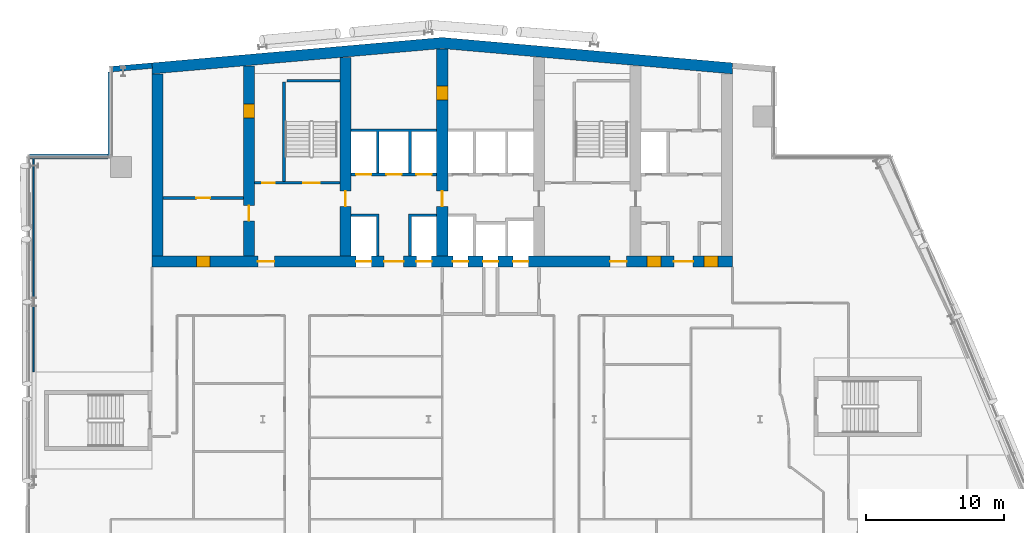
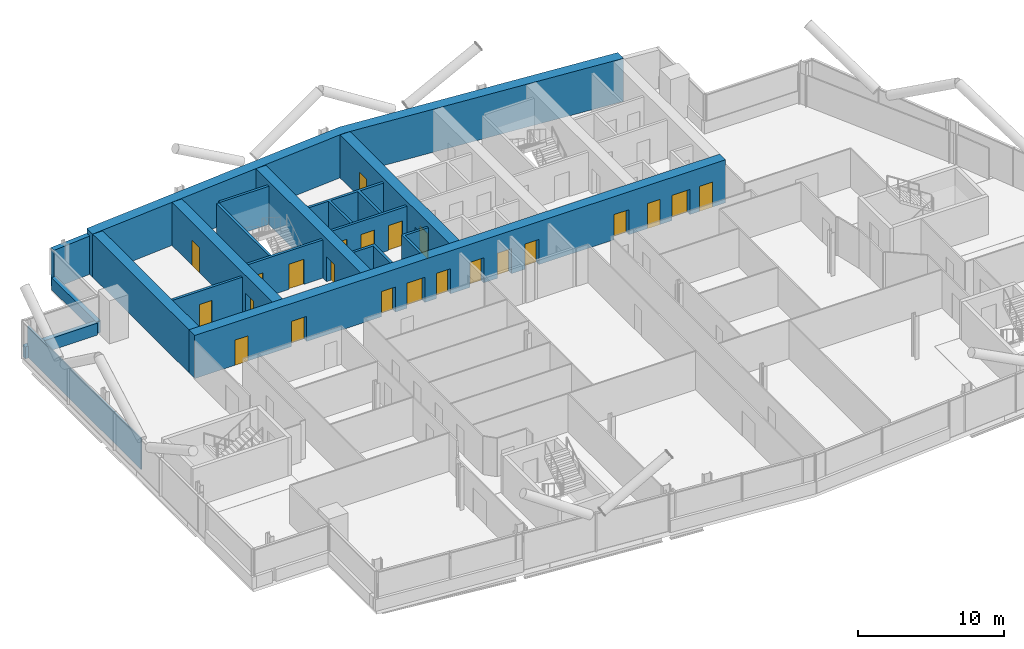
# One storey, part 17 of 26: 23 doors, 18 walls, 23 openings.
"""IFC4 building model written with IfcOpenShell, lengths in metres."""

from ifc_helpers import new_model, si_unit, direction, frame, frame_2d, origin, place, context, subcontext, project, spatial, polyline, rectangle, outline, extrude, material, layer, layer_set, type_object, element, fill, save


model = new_model("IFC4")

# Units and contexts
model_context = context("Model", 3, precision=1e-05, world=origin(), true_north=direction((0.0, 1.0)))
body_context = subcontext(model_context, "Body", "Model", "MODEL_VIEW")
ifc_project = project(units=[si_unit("LENGTHUNIT", "METRE"), si_unit("AREAUNIT", "SQUARE_METRE"), si_unit("VOLUMEUNIT", "CUBIC_METRE"), si_unit("PLANEANGLEUNIT", "RADIAN"), si_unit("MASSUNIT", "GRAM", prefix="KILO")], contexts=[model_context])

# Site, building, storey
site_placement = place(None, origin())
site = spatial("IfcSite", under=ifc_project, at=site_placement, CompositionType="ELEMENT")
building_placement = place(site_placement, origin())
building = spatial("IfcBuilding", under=site, at=building_placement, Name="Wharfspan Tower", CompositionType="ELEMENT")
storey_placement = place(building_placement, frame((0.0, 0.0, 173.5)))
storey = spatial("IfcBuildingStorey", under=building, at=storey_placement, Name="L42", CompositionType="ELEMENT", Elevation=173.5)

# Wall, opening, door
ifc_material_1 = material(Name="Calcium silicate masonry", Category="masonry")
ifc_layer_1 = layer(ifc_material_1, 0.199951)
ifc_layer_set_1 = layer_set([ifc_layer_1], Name="Calcium silicate masonry")
wall_type_1 = type_object("IfcWallType", Name="Core room wall 200", PredefinedType="PARTITIONING", material=ifc_layer_set_1)
wall_1_placement = place(storey_placement, frame((16.800049, 39.0, 0.0), z_axis=(0.0, 0.0, 1.0), x_axis=(1.0, 0.0, 0.0)))
wall_1 = element("IfcWall", 1, at=wall_1_placement, inside=storey, type_object=wall_type_1, Name="sw:L42:RM1", PredefinedType="PARTITIONING", context=body_context, shape_type="SweptSolid", body=[
    extrude(rectangle(XDim=5.800049, YDim=0.199951, at=frame_2d((2.899902, 0.0))), origin(), (0.0, 0.0, 1.0), 3.199951),
])
opening_1_placement = place(wall_1_placement, frame((2.399902, 0.0, 0.0)))
opening_1 = element("IfcOpeningElement", 2, at=opening_1_placement, cuts=wall_1, Name="Opening CD42.12", PredefinedType="OPENING", context=body_context, shape_type="SweptSolid", body=[
    extrude(rectangle(XDim=1.0, YDim=2.100098, at=frame_2d((0.5, 1.050049))), frame((0.0, 0.109863, 0.0), z_axis=(0.0, -1.0, 0.0), x_axis=(1.0, 0.0, 0.0)), (0.0, 0.0, 1.0), 0.219971),
])
ifc_material_2 = material(Name="Steel door leaf", Category="steel")
door_type_1 = type_object("IfcDoorType", Name="Core room door 1000x2100", OperationType="SINGLE_SWING_LEFT", PredefinedType="DOOR", material=ifc_material_2)
door_1_placement = place(opening_1_placement, origin())
door_1 = element("IfcDoor", 3, at=door_1_placement, inside=storey, type_object=door_type_1, Name="d:L42:1:rr", OperationType="SINGLE_SWING_RIGHT", OverallHeight=2.100098, OverallWidth=1.0, PredefinedType="DOOR", context=body_context, shape_type="SweptSolid", body=[
    extrude(rectangle(XDim=1.0, YDim=2.100098, at=frame_2d((0.5, 1.050049))), frame((0.0, 0.024902, 0.0), z_axis=(0.0, -1.0, 0.0), x_axis=(1.0, 0.0, 0.0)), (0.0, 0.0, 1.0), 0.050049),
])
fill(opening_1, door_1)

# Wall
ifc_material_3 = material(Name="Concrete C60/75", Category="concrete")
ifc_layer_2 = layer(ifc_material_3, 0.800049)
ifc_layer_set_2 = layer_set([ifc_layer_2], Name="Concrete C60/75")
wall_type_2 = type_object("IfcWallType", Name="Core wall 800 C60/75", PredefinedType="SHEAR", material=ifc_layer_set_2)
wall_2_placement = place(storey_placement, origin())
element("IfcWall", 4, at=wall_2_placement, inside=storey, type_object=wall_type_2, Name="Core rear wall L42", PredefinedType="SHEAR", context=body_context, shape_type="SweptSolid", body=[
    extrude(outline(polyline([(16.0, 47.984375), (37.0, 49.821533), (58.0, 47.984375), (58.0, 48.787354), (37.0, 50.624756), (16.0, 48.787354), (16.0, 47.984375)])), origin(), (0.0, 0.0, 1.0), 3.600098),
])

# Wall, openings, doors
wall_3_placement = place(storey_placement, frame((16.0, 34.399902, 0.0), z_axis=(0.0, 0.0, 1.0), x_axis=(1.0, 0.0, 0.0)))
wall_3 = element("IfcWall", 5, at=wall_3_placement, inside=storey, type_object=wall_type_2, Name="Core front wall L42", PredefinedType="SHEAR", context=body_context, shape_type="SweptSolid", body=[
    extrude(rectangle(XDim=42.0, YDim=0.800049, at=frame_2d((21.0, 0.0))), origin(), (0.0, 0.0, 1.0), 3.600098),
])
opening_2_placement = place(wall_3_placement, frame((3.199951, 0.0, 0.0)))
opening_2 = element("IfcOpeningElement", 6, at=opening_2_placement, cuts=wall_3, Name="Opening CD42.11", PredefinedType="OPENING", context=body_context, shape_type="SweptSolid", body=[
    extrude(rectangle(XDim=1.0, YDim=2.100098, at=frame_2d((0.5, 1.050049))), frame((0.0, 0.409912, 0.0), z_axis=(0.0, -1.0, 0.0), x_axis=(1.0, 0.0, 0.0)), (0.0, 0.0, 1.0), 0.820068),
])
opening_3_placement = place(wall_3_placement, frame((7.649902, 0.0, 0.0)))
opening_3 = element("IfcOpeningElement", 7, at=opening_3_placement, cuts=wall_3, Name="Opening SV2.L42", PredefinedType="OPENING", context=body_context, shape_type="SweptSolid", body=[
    extrude(rectangle(XDim=1.199951, YDim=2.100098, at=frame_2d((0.600098, 1.050049))), frame((0.0, 0.409912, 0.0), z_axis=(0.0, -1.0, 0.0), x_axis=(1.0, 0.0, 0.0)), (0.0, 0.0, 1.0), 0.820068),
])
opening_4_placement = place(wall_3_placement, frame((14.766602, 0.0, 0.0)))
opening_4 = element("IfcOpeningElement", 8, at=opening_4_placement, cuts=wall_3, Name="Opening LD.SL1.L42", PredefinedType="OPENING", context=body_context, shape_type="SweptSolid", body=[
    extrude(rectangle(XDim=1.100098, YDim=2.100098, at=frame_2d((0.550049, 1.050049))), frame((0.0, 0.409912, 0.0), z_axis=(0.0, -1.0, 0.0), x_axis=(1.0, 0.0, 0.0)), (0.0, 0.0, 1.0), 0.820068),
])
opening_5_placement = place(wall_3_placement, frame((19.133301, 0.0, 0.0)))
opening_5 = element("IfcOpeningElement", 9, at=opening_5_placement, cuts=wall_3, Name="Opening LD.SL2.L42", PredefinedType="OPENING", context=body_context, shape_type="SweptSolid", body=[
    extrude(rectangle(XDim=1.100098, YDim=2.100098, at=frame_2d((0.550049, 1.050049))), frame((0.0, 0.409912, 0.0), z_axis=(0.0, -1.0, 0.0), x_axis=(1.0, 0.0, 0.0)), (0.0, 0.0, 1.0), 0.820068),
])
opening_6_placement = place(wall_3_placement, frame((16.800049, 0.0, 0.0)))
opening_6 = element("IfcOpeningElement", 10, at=opening_6_placement, cuts=wall_3, Name="Opening HD42.3", PredefinedType="OPENING", context=body_context, shape_type="SweptSolid", body=[
    extrude(rectangle(XDim=1.399902, YDim=2.100098, at=frame_2d((0.699951, 1.050049))), frame((0.0, 0.409912, 0.0), z_axis=(0.0, -1.0, 0.0), x_axis=(1.0, 0.0, 0.0)), (0.0, 0.0, 1.0), 0.820068),
])
opening_7_placement = place(wall_3_placement, frame((21.766602, 0.0, 0.0)))
opening_7 = element("IfcOpeningElement", 11, at=opening_7_placement, cuts=wall_3, Name="Opening LD.FF1.L42", PredefinedType="OPENING", context=body_context, shape_type="SweptSolid", body=[
    extrude(rectangle(XDim=1.100098, YDim=2.100098, at=frame_2d((0.550049, 1.050049))), frame((0.0, 0.409912, 0.0), z_axis=(0.0, -1.0, 0.0), x_axis=(1.0, 0.0, 0.0)), (0.0, 0.0, 1.0), 0.820068),
])
opening_8_placement = place(wall_3_placement, frame((23.949951, 0.0, 0.0)))
opening_8 = element("IfcOpeningElement", 12, at=opening_8_placement, cuts=wall_3, Name="Opening LD.LB7.L42", PredefinedType="OPENING", context=body_context, shape_type="SweptSolid", body=[
    extrude(rectangle(XDim=1.100098, YDim=2.100098, at=frame_2d((0.550049, 1.050049))), frame((0.0, 0.409912, 0.0), z_axis=(0.0, -1.0, 0.0), x_axis=(1.0, 0.0, 0.0)), (0.0, 0.0, 1.0), 0.820068),
])
opening_9_placement = place(wall_3_placement, frame((26.133301, 0.0, 0.0)))
opening_9 = element("IfcOpeningElement", 13, at=opening_9_placement, cuts=wall_3, Name="Opening LD.FF2.L42", PredefinedType="OPENING", context=body_context, shape_type="SweptSolid", body=[
    extrude(rectangle(XDim=1.100098, YDim=2.100098, at=frame_2d((0.550049, 1.050049))), frame((0.0, 0.409912, 0.0), z_axis=(0.0, -1.0, 0.0), x_axis=(1.0, 0.0, 0.0)), (0.0, 0.0, 1.0), 0.820068),
])
opening_10_placement = place(wall_3_placement, frame((33.149902, 0.0, 0.0)))
opening_10 = element("IfcOpeningElement", 14, at=opening_10_placement, cuts=wall_3, Name="Opening SV5.L42", PredefinedType="OPENING", context=body_context, shape_type="SweptSolid", body=[
    extrude(rectangle(XDim=1.199951, YDim=2.100098, at=frame_2d((0.600098, 1.050049))), frame((0.0, 0.409912, 0.0), z_axis=(0.0, -1.0, 0.0), x_axis=(1.0, 0.0, 0.0)), (0.0, 0.0, 1.0), 0.820068),
])
opening_11_placement = place(wall_3_placement, frame((35.81665, 0.0, 0.0)))
opening_11 = element("IfcOpeningElement", 15, at=opening_11_placement, cuts=wall_3, Name="Opening CD42.6F1", PredefinedType="OPENING", context=body_context, shape_type="SweptSolid", body=[
    extrude(rectangle(XDim=1.0, YDim=2.100098, at=frame_2d((0.5, 1.050049))), frame((0.0, 0.409912, 0.0), z_axis=(0.0, -1.0, 0.0), x_axis=(1.0, 0.0, 0.0)), (0.0, 0.0, 1.0), 0.820068),
])
opening_12_placement = place(wall_3_placement, frame((39.949951, 0.0, 0.0)))
opening_12 = element("IfcOpeningElement", 16, at=opening_12_placement, cuts=wall_3, Name="Opening CD42.6F3", PredefinedType="OPENING", context=body_context, shape_type="SweptSolid", body=[
    extrude(rectangle(XDim=1.0, YDim=2.100098, at=frame_2d((0.5, 1.050049))), frame((0.0, 0.409912, 0.0), z_axis=(0.0, -1.0, 0.0), x_axis=(1.0, 0.0, 0.0)), (0.0, 0.0, 1.0), 0.820068),
])
opening_13_placement = place(wall_3_placement, frame((37.766602, 0.0, 0.0)))
opening_13 = element("IfcOpeningElement", 17, at=opening_13_placement, cuts=wall_3, Name="Opening HD42.6", PredefinedType="OPENING", context=body_context, shape_type="SweptSolid", body=[
    extrude(rectangle(XDim=1.399902, YDim=2.100098, at=frame_2d((0.699951, 1.050049))), frame((0.0, 0.409912, 0.0), z_axis=(0.0, -1.0, 0.0), x_axis=(1.0, 0.0, 0.0)), (0.0, 0.0, 1.0), 0.820068),
])
door_2_placement = place(opening_2_placement, origin())
door_2 = element("IfcDoor", 18, at=door_2_placement, inside=storey, type_object=door_type_1, Name="d:L42:1:rf", OperationType="SINGLE_SWING_LEFT", OverallHeight=2.100098, OverallWidth=1.0, PredefinedType="DOOR", context=body_context, shape_type="SweptSolid", body=[
    extrude(rectangle(XDim=1.0, YDim=2.100098, at=frame_2d((0.5, 1.050049))), frame((0.0, 0.399902, 0.0), z_axis=(0.0, -1.0, 0.0), x_axis=(1.0, 0.0, 0.0)), (0.0, 0.0, 1.0), 0.799561),
])
fill(opening_2, door_2)
door_3_placement = place(opening_11_placement, origin())
door_3 = element("IfcDoor", 19, at=door_3_placement, inside=storey, type_object=door_type_1, Name="d:L42:6:fd6.1", OperationType="SINGLE_SWING_LEFT", OverallHeight=2.100098, OverallWidth=1.0, PredefinedType="DOOR", context=body_context, shape_type="SweptSolid", body=[
    extrude(rectangle(XDim=1.0, YDim=2.100098, at=frame_2d((0.5, 1.050049))), frame((0.0, 0.399902, 0.0), z_axis=(0.0, -1.0, 0.0), x_axis=(1.0, 0.0, 0.0)), (0.0, 0.0, 1.0), 0.799561),
])
fill(opening_11, door_3)
door_4_placement = place(opening_12_placement, origin())
door_4 = element("IfcDoor", 20, at=door_4_placement, inside=storey, type_object=door_type_1, Name="d:L42:6:fd6.3", OperationType="SINGLE_SWING_LEFT", OverallHeight=2.100098, OverallWidth=1.0, PredefinedType="DOOR", context=body_context, shape_type="SweptSolid", body=[
    extrude(rectangle(XDim=1.0, YDim=2.100098, at=frame_2d((0.5, 1.050049))), frame((0.0, 0.399902, 0.0), z_axis=(0.0, -1.0, 0.0), x_axis=(1.0, 0.0, 0.0)), (0.0, 0.0, 1.0), 0.799561),
])
fill(opening_12, door_4)
door_type_2 = type_object("IfcDoorType", Name="Hall entry door 1400x2100", OperationType="DOUBLE_DOOR_SINGLE_SWING", PredefinedType="DOOR", material=ifc_material_2)
door_5_placement = place(opening_6_placement, origin())
door_5 = element("IfcDoor", 21, at=door_5_placement, inside=storey, type_object=door_type_2, Name="d:L42:3:hd3", OperationType="DOUBLE_DOOR_SINGLE_SWING", OverallHeight=2.100098, OverallWidth=1.399902, PredefinedType="DOOR", context=body_context, shape_type="SweptSolid", body=[
    extrude(rectangle(XDim=1.399902, YDim=2.100098, at=frame_2d((0.699951, 1.050049))), frame((0.0, 0.024902, 0.0), z_axis=(0.0, -1.0, 0.0), x_axis=(1.0, 0.0, 0.0)), (0.0, 0.0, 1.0), 0.050049),
])
fill(opening_6, door_5)
door_6_placement = place(opening_13_placement, origin())
door_6 = element("IfcDoor", 22, at=door_6_placement, inside=storey, type_object=door_type_2, Name="d:L42:6:hd6", OperationType="DOUBLE_DOOR_SINGLE_SWING", OverallHeight=2.100098, OverallWidth=1.399902, PredefinedType="DOOR", context=body_context, shape_type="SweptSolid", body=[
    extrude(rectangle(XDim=1.399902, YDim=2.100098, at=frame_2d((0.699951, 1.050049))), frame((0.0, 0.024902, 0.0), z_axis=(0.0, -1.0, 0.0), x_axis=(1.0, 0.0, 0.0)), (0.0, 0.0, 1.0), 0.050049),
])
fill(opening_13, door_6)
ifc_material_4 = material(Name="Stainless steel", Category="steel")
door_type_3 = type_object("IfcDoorType", Name="Lift landing door 1100x2100", OperationType="DOUBLE_DOOR_SLIDING", PredefinedType="DOOR", material=ifc_material_4)
door_7_placement = place(opening_4_placement, origin())
door_7 = element("IfcDoor", 23, at=door_7_placement, inside=storey, type_object=door_type_3, Name="Landing door SL1 L42", OperationType="DOUBLE_DOOR_SLIDING", OverallHeight=2.100098, OverallWidth=1.100098, PredefinedType="DOOR", context=body_context, shape_type="SweptSolid", body=[
    extrude(rectangle(XDim=1.100098, YDim=2.100098, at=frame_2d((0.550049, 1.050049))), frame((0.0, 0.024902, 0.0), z_axis=(0.0, -1.0, 0.0), x_axis=(1.0, 0.0, 0.0)), (0.0, 0.0, 1.0), 0.050049),
])
fill(opening_4, door_7)
door_8_placement = place(opening_5_placement, origin())
door_8 = element("IfcDoor", 24, at=door_8_placement, inside=storey, type_object=door_type_3, Name="Landing door SL2 L42", OperationType="DOUBLE_DOOR_SLIDING", OverallHeight=2.100098, OverallWidth=1.100098, PredefinedType="DOOR", context=body_context, shape_type="SweptSolid", body=[
    extrude(rectangle(XDim=1.100098, YDim=2.100098, at=frame_2d((0.550049, 1.050049))), frame((0.0, 0.024902, 0.0), z_axis=(0.0, -1.0, 0.0), x_axis=(1.0, 0.0, 0.0)), (0.0, 0.0, 1.0), 0.050049),
])
fill(opening_5, door_8)
door_9_placement = place(opening_7_placement, origin())
door_9 = element("IfcDoor", 25, at=door_9_placement, inside=storey, type_object=door_type_3, Name="Landing door FF1 L42", OperationType="DOUBLE_DOOR_SLIDING", OverallHeight=2.100098, OverallWidth=1.100098, PredefinedType="DOOR", context=body_context, shape_type="SweptSolid", body=[
    extrude(rectangle(XDim=1.100098, YDim=2.100098, at=frame_2d((0.550049, 1.050049))), frame((0.0, 0.024902, 0.0), z_axis=(0.0, -1.0, 0.0), x_axis=(1.0, 0.0, 0.0)), (0.0, 0.0, 1.0), 0.050049),
])
fill(opening_7, door_9)
door_10_placement = place(opening_8_placement, origin())
door_10 = element("IfcDoor", 26, at=door_10_placement, inside=storey, type_object=door_type_3, Name="Landing door LB7 L42", OperationType="DOUBLE_DOOR_SLIDING", OverallHeight=2.100098, OverallWidth=1.100098, PredefinedType="DOOR", context=body_context, shape_type="SweptSolid", body=[
    extrude(rectangle(XDim=1.100098, YDim=2.100098, at=frame_2d((0.550049, 1.050049))), frame((0.0, 0.024902, 0.0), z_axis=(0.0, -1.0, 0.0), x_axis=(1.0, 0.0, 0.0)), (0.0, 0.0, 1.0), 0.050049),
])
fill(opening_8, door_10)
door_11_placement = place(opening_9_placement, origin())
door_11 = element("IfcDoor", 27, at=door_11_placement, inside=storey, type_object=door_type_3, Name="Landing door FF2 L42", OperationType="DOUBLE_DOOR_SLIDING", OverallHeight=2.100098, OverallWidth=1.100098, PredefinedType="DOOR", context=body_context, shape_type="SweptSolid", body=[
    extrude(rectangle(XDim=1.100098, YDim=2.100098, at=frame_2d((0.550049, 1.050049))), frame((0.0, 0.024902, 0.0), z_axis=(0.0, -1.0, 0.0), x_axis=(1.0, 0.0, 0.0)), (0.0, 0.0, 1.0), 0.050049),
])
fill(opening_9, door_11)
door_type_4 = type_object("IfcDoorType", Name="Stair door 1200x2100", OperationType="SINGLE_SWING_LEFT", PredefinedType="DOOR", material=ifc_material_2)
door_12_placement = place(opening_3_placement, origin())
door_12 = element("IfcDoor", 28, at=door_12_placement, inside=storey, type_object=door_type_4, Name="vd:L42:2", OperationType="SINGLE_SWING_LEFT", OverallHeight=2.100098, OverallWidth=1.199951, PredefinedType="DOOR", context=body_context, shape_type="SweptSolid", body=[
    extrude(rectangle(XDim=1.199951, YDim=2.100098, at=frame_2d((0.600098, 1.050049))), frame((0.0, 0.024902, 0.0), z_axis=(0.0, -1.0, 0.0), x_axis=(1.0, 0.0, 0.0)), (0.0, 0.0, 1.0), 0.050049),
])
fill(opening_3, door_12)
door_13_placement = place(opening_10_placement, origin())
door_13 = element("IfcDoor", 29, at=door_13_placement, inside=storey, type_object=door_type_4, Name="vd:L42:5", OperationType="SINGLE_SWING_LEFT", OverallHeight=2.100098, OverallWidth=1.199951, PredefinedType="DOOR", context=body_context, shape_type="SweptSolid", body=[
    extrude(rectangle(XDim=1.199951, YDim=2.100098, at=frame_2d((0.600098, 1.050049))), frame((0.0, 0.024902, 0.0), z_axis=(0.0, -1.0, 0.0), x_axis=(1.0, 0.0, 0.0)), (0.0, 0.0, 1.0), 0.050049),
])
fill(opening_10, door_13)

# Wall
wall_4_placement = place(storey_placement, frame((16.399902, 34.800049, 0.0), z_axis=(0.0, 0.0, 1.0), x_axis=(0.0, 1.0, 0.0)))
element("IfcWall", 30, at=wall_4_placement, inside=storey, type_object=wall_type_2, Name="Core cross wall EW0 L42", PredefinedType="SHEAR", context=body_context, shape_type="SweptSolid", body=[
    extrude(rectangle(XDim=13.184326, YDim=0.800049, at=frame_2d((6.592285, 0.0))), origin(), (0.0, 0.0, 1.0), 3.600098),
])

# Wall, openings, doors
wall_5_placement = place(storey_placement, frame((23.0, 34.800049, 0.0), z_axis=(0.0, 0.0, 1.0), x_axis=(0.0, 1.0, 0.0)))
wall_5 = element("IfcWall", 31, at=wall_5_placement, inside=storey, type_object=wall_type_2, Name="Core cross wall X2 L42", PredefinedType="SHEAR", context=body_context, shape_type="SweptSolid", body=[
    extrude(rectangle(XDim=13.761719, YDim=0.800049, at=frame_2d((6.880859, 0.0))), origin(), (0.0, 0.0, 1.0), 3.600098),
])
opening_14_placement = place(wall_5_placement, frame((2.550049, 0.0, 0.0)))
opening_14 = element("IfcOpeningElement", 32, at=opening_14_placement, cuts=wall_5, Name="Opening CC42.2", PredefinedType="OPENING", context=body_context, shape_type="SweptSolid", body=[
    extrude(rectangle(XDim=1.100098, YDim=2.100098, at=frame_2d((0.550049, 1.050049))), frame((0.0, 0.409912, 0.0), z_axis=(0.0, -1.0, 0.0), x_axis=(1.0, 0.0, 0.0)), (0.0, 0.0, 1.0), 0.820068),
])
opening_15_placement = place(wall_5_placement, frame((10.0, 0.0, 0.0)))
opening_15 = element("IfcOpeningElement", 33, at=opening_15_placement, cuts=wall_5, Name="Opening CR42.2", PredefinedType="OPENING", context=body_context, shape_type="SweptSolid", body=[
    extrude(rectangle(XDim=1.0, YDim=2.100098, at=frame_2d((0.5, 1.050049))), frame((0.0, 0.409912, 0.0), z_axis=(0.0, -1.0, 0.0), x_axis=(1.0, 0.0, 0.0)), (0.0, 0.0, 1.0), 0.820068),
])
door_type_5 = type_object("IfcDoorType", Name="Core corridor door 1100x2100", OperationType="SINGLE_SWING_LEFT", PredefinedType="DOOR", material=ifc_material_2)
door_14_placement = place(opening_14_placement, origin())
door_14 = element("IfcDoor", 34, at=door_14_placement, inside=storey, type_object=door_type_5, Name="xd:L42:2", OperationType="SINGLE_SWING_RIGHT", OverallHeight=2.100098, OverallWidth=1.100098, PredefinedType="DOOR", context=body_context, shape_type="SweptSolid", body=[
    extrude(rectangle(XDim=1.100098, YDim=2.100098, at=frame_2d((0.550049, 1.050049))), frame((0.0, 0.024902, 0.0), z_axis=(0.0, -1.0, 0.0), x_axis=(1.0, 0.0, 0.0)), (0.0, 0.0, 1.0), 0.050049),
])
fill(opening_14, door_14)
door_15_placement = place(opening_15_placement, origin())
door_15 = element("IfcDoor", 35, at=door_15_placement, inside=storey, type_object=door_type_1, Name="xr:L42:2", OperationType="SINGLE_SWING_RIGHT", OverallHeight=2.100098, OverallWidth=1.0, PredefinedType="DOOR", context=body_context, shape_type="SweptSolid", body=[
    extrude(rectangle(XDim=1.0, YDim=2.100098, at=frame_2d((0.5, 1.050049))), frame((0.0, 0.399902, 0.0), z_axis=(0.0, -1.0, 0.0), x_axis=(1.0, 0.0, 0.0)), (0.0, 0.0, 1.0), 0.799561),
])
fill(opening_15, door_15)

# Wall, opening, door
wall_6_placement = place(storey_placement, frame((30.0, 34.800049, 0.0), z_axis=(0.0, 0.0, 1.0), x_axis=(0.0, 1.0, 0.0)))
wall_6 = element("IfcWall", 36, at=wall_6_placement, inside=storey, type_object=wall_type_2, Name="Core cross wall X3 L42", PredefinedType="SHEAR", context=body_context, shape_type="SweptSolid", body=[
    extrude(rectangle(XDim=14.374023, YDim=0.800049, at=frame_2d((7.187012, 0.0))), origin(), (0.0, 0.0, 1.0), 3.600098),
])
opening_16_placement = place(wall_6_placement, frame((3.600098, 0.0, 0.0)))
opening_16 = element("IfcOpeningElement", 37, at=opening_16_placement, cuts=wall_6, Name="Opening CC42.3", PredefinedType="OPENING", context=body_context, shape_type="SweptSolid", body=[
    extrude(rectangle(XDim=1.100098, YDim=2.100098, at=frame_2d((0.550049, 1.050049))), frame((0.0, 0.409912, 0.0), z_axis=(0.0, -1.0, 0.0), x_axis=(1.0, 0.0, 0.0)), (0.0, 0.0, 1.0), 0.820068),
])
door_16_placement = place(opening_16_placement, origin())
door_16 = element("IfcDoor", 38, at=door_16_placement, inside=storey, type_object=door_type_5, Name="xd:L42:3", OperationType="SINGLE_SWING_LEFT", OverallHeight=2.100098, OverallWidth=1.100098, PredefinedType="DOOR", context=body_context, shape_type="SweptSolid", body=[
    extrude(rectangle(XDim=1.100098, YDim=2.100098, at=frame_2d((0.550049, 1.050049))), frame((0.0, 0.024902, 0.0), z_axis=(0.0, -1.0, 0.0), x_axis=(1.0, 0.0, 0.0)), (0.0, 0.0, 1.0), 0.050049),
])
fill(opening_16, door_16)

# Wall, openings, doors
wall_7_placement = place(storey_placement, frame((37.0, 34.800049, 0.0), z_axis=(0.0, 0.0, 1.0), x_axis=(0.0, 1.0, 0.0)))
wall_7 = element("IfcWall", 39, at=wall_7_placement, inside=storey, type_object=wall_type_2, Name="Core cross wall X4 L42", PredefinedType="SHEAR", context=body_context, shape_type="SweptSolid", body=[
    extrude(rectangle(XDim=14.986572, YDim=0.800049, at=frame_2d((7.493164, 0.0))), origin(), (0.0, 0.0, 1.0), 3.600098),
])
opening_17_placement = place(wall_7_placement, frame((11.312012, 0.0, 0.0)))
opening_17 = element("IfcOpeningElement", 40, at=opening_17_placement, cuts=wall_7, Name="Opening CD42.3X", PredefinedType="OPENING", context=body_context, shape_type="SweptSolid", body=[
    extrude(rectangle(XDim=1.0, YDim=2.100098, at=frame_2d((0.5, 1.050049))), frame((0.0, 0.409912, 0.0), z_axis=(0.0, -1.0, 0.0), x_axis=(1.0, 0.0, 0.0)), (0.0, 0.0, 1.0), 0.820068),
])
opening_18_placement = place(wall_7_placement, frame((3.600098, 0.0, 0.0)))
opening_18 = element("IfcOpeningElement", 41, at=opening_18_placement, cuts=wall_7, Name="Opening CC42.4", PredefinedType="OPENING", context=body_context, shape_type="SweptSolid", body=[
    extrude(rectangle(XDim=1.100098, YDim=2.100098, at=frame_2d((0.550049, 1.050049))), frame((0.0, 0.409912, 0.0), z_axis=(0.0, -1.0, 0.0), x_axis=(1.0, 0.0, 0.0)), (0.0, 0.0, 1.0), 0.820068),
])
door_17_placement = place(opening_18_placement, origin())
door_17 = element("IfcDoor", 42, at=door_17_placement, inside=storey, type_object=door_type_5, Name="xd:L42:4", OperationType="SINGLE_SWING_RIGHT", OverallHeight=2.100098, OverallWidth=1.100098, PredefinedType="DOOR", context=body_context, shape_type="SweptSolid", body=[
    extrude(rectangle(XDim=1.100098, YDim=2.100098, at=frame_2d((0.550049, 1.050049))), frame((0.0, 0.024902, 0.0), z_axis=(0.0, -1.0, 0.0), x_axis=(1.0, 0.0, 0.0)), (0.0, 0.0, 1.0), 0.050049),
])
fill(opening_18, door_17)
door_18_placement = place(opening_17_placement, origin())
door_18 = element("IfcDoor", 43, at=door_18_placement, inside=storey, type_object=door_type_1, Name="d:L42:3:sx", OperationType="SINGLE_SWING_LEFT", OverallHeight=2.100098, OverallWidth=1.0, PredefinedType="DOOR", context=body_context, shape_type="SweptSolid", body=[
    extrude(rectangle(XDim=1.0, YDim=2.100098, at=frame_2d((0.5, 1.050049))), frame((0.0, 0.399902, 0.0), z_axis=(0.0, -1.0, 0.0), x_axis=(1.0, 0.0, 0.0)), (0.0, 0.0, 1.0), 0.799561),
])
fill(opening_17, door_18)

ifc_material_5 = material(Name="Concrete C30/37", Category="concrete")
ifc_layer_3 = layer(ifc_material_5, 0.199951)
ifc_layer_set_3 = layer_set([ifc_layer_3], Name="Concrete C30/37")
wall_type_3 = type_object("IfcWallType", Name="Lift shaft wall 200", PredefinedType="PARTITIONING", material=ifc_layer_set_3)
wall_8_placement = place(storey_placement, frame((30.399902, 40.699951, 0.0), z_axis=(0.0, 0.0, 1.0), x_axis=(1.0, 0.0, 0.0)))
wall_8 = element("IfcWall", 44, at=wall_8_placement, inside=storey, type_object=wall_type_3, Name="sw:L42:RF3", PredefinedType="PARTITIONING", context=body_context, shape_type="SweptSolid", body=[
    extrude(rectangle(XDim=6.200195, YDim=0.199951, at=frame_2d((3.100098, 0.0))), origin(), (0.0, 0.0, 1.0), 3.199951),
])
opening_19_placement = place(wall_8_placement, frame((0.366699, 0.0, 0.0)))
opening_19 = element("IfcOpeningElement", 45, at=opening_19_placement, cuts=wall_8, Name="Opening LD.LB1.L42", PredefinedType="OPENING", context=body_context, shape_type="SweptSolid", body=[
    extrude(rectangle(XDim=1.100098, YDim=2.100098, at=frame_2d((0.550049, 1.050049))), frame((0.0, 0.109863, 0.0), z_axis=(0.0, -1.0, 0.0), x_axis=(1.0, 0.0, 0.0)), (0.0, 0.0, 1.0), 0.219971),
])
opening_20_placement = place(wall_8_placement, frame((2.550049, 0.0, 0.0)))
opening_20 = element("IfcOpeningElement", 46, at=opening_20_placement, cuts=wall_8, Name="Opening LD.LB2.L42", PredefinedType="OPENING", context=body_context, shape_type="SweptSolid", body=[
    extrude(rectangle(XDim=1.100098, YDim=2.100098, at=frame_2d((0.550049, 1.050049))), frame((0.0, 0.109863, 0.0), z_axis=(0.0, -1.0, 0.0), x_axis=(1.0, 0.0, 0.0)), (0.0, 0.0, 1.0), 0.219971),
])
opening_21_placement = place(wall_8_placement, frame((4.733398, 0.0, 0.0)))
opening_21 = element("IfcOpeningElement", 47, at=opening_21_placement, cuts=wall_8, Name="Opening LD.LB3.L42", PredefinedType="OPENING", context=body_context, shape_type="SweptSolid", body=[
    extrude(rectangle(XDim=1.100098, YDim=2.100098, at=frame_2d((0.550049, 1.050049))), frame((0.0, 0.109863, 0.0), z_axis=(0.0, -1.0, 0.0), x_axis=(1.0, 0.0, 0.0)), (0.0, 0.0, 1.0), 0.219971),
])
door_19_placement = place(opening_19_placement, origin())
door_19 = element("IfcDoor", 48, at=door_19_placement, inside=storey, type_object=door_type_3, Name="Landing door LB1 L42", OperationType="DOUBLE_DOOR_SLIDING", OverallHeight=2.100098, OverallWidth=1.100098, PredefinedType="DOOR", context=body_context, shape_type="SweptSolid", body=[
    extrude(rectangle(XDim=1.100098, YDim=2.100098, at=frame_2d((0.550049, 1.050049))), frame((0.0, 0.024902, 0.0), z_axis=(0.0, -1.0, 0.0), x_axis=(1.0, 0.0, 0.0)), (0.0, 0.0, 1.0), 0.050049),
])
fill(opening_19, door_19)
door_20_placement = place(opening_20_placement, origin())
door_20 = element("IfcDoor", 49, at=door_20_placement, inside=storey, type_object=door_type_3, Name="Landing door LB2 L42", OperationType="DOUBLE_DOOR_SLIDING", OverallHeight=2.100098, OverallWidth=1.100098, PredefinedType="DOOR", context=body_context, shape_type="SweptSolid", body=[
    extrude(rectangle(XDim=1.100098, YDim=2.100098, at=frame_2d((0.550049, 1.050049))), frame((0.0, 0.024902, 0.0), z_axis=(0.0, -1.0, 0.0), x_axis=(1.0, 0.0, 0.0)), (0.0, 0.0, 1.0), 0.050049),
])
fill(opening_20, door_20)
door_21_placement = place(opening_21_placement, origin())
door_21 = element("IfcDoor", 50, at=door_21_placement, inside=storey, type_object=door_type_3, Name="Landing door LB3 L42", OperationType="DOUBLE_DOOR_SLIDING", OverallHeight=2.100098, OverallWidth=1.100098, PredefinedType="DOOR", context=body_context, shape_type="SweptSolid", body=[
    extrude(rectangle(XDim=1.100098, YDim=2.100098, at=frame_2d((0.550049, 1.050049))), frame((0.0, 0.024902, 0.0), z_axis=(0.0, -1.0, 0.0), x_axis=(1.0, 0.0, 0.0)), (0.0, 0.0, 1.0), 0.050049),
])
fill(opening_21, door_21)

# Walls
wall_9_placement = place(storey_placement, frame((0.0, 0.0, -0.000244)))
element("IfcWall", 51, at=wall_9_placement, inside=storey, type_object=wall_type_3, Name="sw:L42:FM3.0", PredefinedType="PARTITIONING", context=body_context, shape_type="SweptSolid", body=[
    extrude(outline(polyline([(32.233398, 37.649902), (30.399902, 37.649902), (30.399902, 37.850098), (32.233398, 37.850098), (32.43335, 37.850098), (32.43335, 34.800049), (32.233398, 34.800049), (32.233398, 37.649902)])), origin(), (0.0, 0.0, 1.0), 3.200195),
])
wall_10_placement = place(storey_placement, frame((0.0, 0.0, -0.000244)))
element("IfcWall", 52, at=wall_10_placement, inside=storey, type_object=wall_type_3, Name="sw:L42:FM3.1", PredefinedType="PARTITIONING", context=body_context, shape_type="SweptSolid", body=[
    extrude(outline(polyline([(34.56665, 37.850098), (34.766602, 37.850098), (36.600098, 37.850098), (36.600098, 37.649902), (34.766602, 37.649902), (34.766602, 34.800049), (34.56665, 34.800049), (34.56665, 37.850098)])), origin(), (0.0, 0.0, 1.0), 3.200195),
])
wall_11_placement = place(storey_placement, frame((0.0, 0.0, -0.000244)))
element("IfcWall", 53, at=wall_11_placement, inside=storey, type_object=wall_type_3, Name="sw:L42:RM3.0", PredefinedType="PARTITIONING", context=body_context, shape_type="SweptSolid", body=[
    extrude(outline(polyline([(32.43335, 40.800049), (32.233398, 40.800049), (32.233398, 43.800049), (30.399902, 43.800049), (30.399902, 44.0), (36.600098, 44.0), (36.600098, 43.800049), (34.766602, 43.800049), (34.766602, 40.800049), (34.56665, 40.800049), (34.56665, 43.800049), (32.43335, 43.800049), (32.43335, 40.800049)])), origin(), (0.0, 0.0, 1.0), 3.200195),
])
ifc_material_6 = material(Name="Gypsum board on steel studs", Category="steel")
ifc_layer_4 = layer(ifc_material_6, 0.100098)
ifc_layer_set_4 = layer_set([ifc_layer_4], Name="Gypsum board on steel studs")
wall_type_4 = type_object("IfcWallType", Name="Partition 100", PredefinedType="PARTITIONING", material=ifc_layer_set_4)
wall_12_placement = place(storey_placement, frame((7.419922, 26.419922, 0.0), z_axis=(0.0, 0.0, 1.0), x_axis=(0.0, 1.0, 0.0)))
element("IfcWall", 54, at=wall_12_placement, inside=storey, type_object=wall_type_4, Name="Partition L42.w003", PredefinedType="PARTITIONING", context=body_context, shape_type="SweptSolid", body=[
    extrude(rectangle(XDim=15.560059, YDim=0.100098, at=frame_2d((7.780029, 0.0))), origin(), (0.0, 0.0, 1.0), 2.580078),
])
ifc_material_7 = material(Name="Concrete C40/50", Category="concrete")
ifc_layer_5 = layer(ifc_material_7, 0.350098)
ifc_layer_set_5 = layer_set([ifc_layer_5], Name="Concrete C40/50")
wall_type_5 = type_object("IfcWallType", Name="SPANDREL EXPOSED CONCRETE 350", PredefinedType="SOLIDWALL", material=ifc_layer_set_5)
wall_13_placement = place(storey_placement, frame((12.995117, 48.126465, 0.0), z_axis=(0.0, 0.0, 1.0), x_axis=(0.0, -1.0, 0.0)))
element("IfcWall", 55, at=wall_13_placement, inside=storey, type_object=wall_type_5, Name="Spandrel upstand L42 NRW-V", PredefinedType="SOLIDWALL", context=body_context, shape_type="SweptSolid", body=[
    extrude(rectangle(XDim=6.126465, YDim=0.350098, at=frame_2d((3.063232, 0.0))), origin(), (0.0, 0.0, 1.0), 1.0),
])
wall_14_placement = place(storey_placement, frame((12.820068, 42.004883, 0.0), z_axis=(0.0, 0.0, 1.0), x_axis=(-1.0, 0.0, 0.0)))
element("IfcWall", 56, at=wall_14_placement, inside=storey, type_object=wall_type_5, Name="Spandrel upstand L42 NRW-H", PredefinedType="SOLIDWALL", context=body_context, shape_type="SweptSolid", body=[
    extrude(rectangle(XDim=5.699951, YDim=0.350098, at=frame_2d((2.850098, 0.0))), origin(), (0.0, 0.0, 1.0), 1.0),
])

# Wall, openings, doors
ifc_layer_6 = layer(ifc_material_7, 0.199951)
ifc_layer_set_6 = layer_set([ifc_layer_6], Name="Concrete C40/50")
wall_type_6 = type_object("IfcWallType", Name="Stair shaft wall 200", PredefinedType="SHEAR", material=ifc_layer_set_6)
wall_15_placement = place(storey_placement, frame((23.399902, 40.100098, 0.0), z_axis=(0.0, 0.0, 1.0), x_axis=(1.0, 0.0, 0.0)))
wall_15 = element("IfcWall", 57, at=wall_15_placement, inside=storey, type_object=wall_type_6, Name="ST1 stair enclosure wall L42", PredefinedType="SHEAR", context=body_context, shape_type="SweptSolid", body=[
    extrude(rectangle(XDim=6.200195, YDim=0.199951, at=frame_2d((3.100098, 0.0))), origin(), (0.0, 0.0, 1.0), 3.199951),
])
opening_22_placement = place(wall_15_placement, frame((3.524902, 0.0, 0.0)))
opening_22 = element("IfcOpeningElement", 58, at=opening_22_placement, cuts=wall_15, Name="Opening SD2.L42", PredefinedType="OPENING", context=body_context, shape_type="SweptSolid", body=[
    extrude(rectangle(XDim=1.199951, YDim=2.100098, at=frame_2d((0.600098, 1.050049))), frame((0.0, 0.109863, 0.0), z_axis=(0.0, -1.0, 0.0), x_axis=(1.0, 0.0, 0.0)), (0.0, 0.0, 1.0), 0.219971),
])
opening_23_placement = place(wall_15_placement, frame((0.574951, 0.0, 0.0)))
opening_23 = element("IfcOpeningElement", 59, at=opening_23_placement, cuts=wall_15, Name="Opening CD42.2R", PredefinedType="OPENING", context=body_context, shape_type="SweptSolid", body=[
    extrude(rectangle(XDim=0.899902, YDim=2.100098, at=frame_2d((0.449951, 1.050049))), frame((0.0, 0.109863, 0.0), z_axis=(0.0, -1.0, 0.0), x_axis=(1.0, 0.0, 0.0)), (0.0, 0.0, 1.0), 0.219971),
])
door_22_placement = place(opening_23_placement, origin())
door_22 = element("IfcDoor", 60, at=door_22_placement, inside=storey, type_object=door_type_1, Name="rk:L42:2", OperationType="SINGLE_SWING_LEFT", OverallHeight=2.100098, OverallWidth=0.899902, PredefinedType="DOOR", context=body_context, shape_type="SweptSolid", body=[
    extrude(rectangle(XDim=0.899902, YDim=2.100098, at=frame_2d((0.449951, 1.050049))), frame((0.0, 0.024902, 0.0), z_axis=(0.0, -1.0, 0.0), x_axis=(1.0, 0.0, 0.0)), (0.0, 0.0, 1.0), 0.050049),
])
fill(opening_23, door_22)
door_23_placement = place(opening_22_placement, origin())
door_23 = element("IfcDoor", 61, at=door_23_placement, inside=storey, type_object=door_type_4, Name="sd:L42:2", OperationType="SINGLE_SWING_RIGHT", OverallHeight=2.100098, OverallWidth=1.199951, PredefinedType="DOOR", context=body_context, shape_type="SweptSolid", body=[
    extrude(rectangle(XDim=1.199951, YDim=2.100098, at=frame_2d((0.600098, 1.050049))), frame((0.0, 0.024902, 0.0), z_axis=(0.0, -1.0, 0.0), x_axis=(1.0, 0.0, 0.0)), (0.0, 0.0, 1.0), 0.050049),
])
fill(opening_22, door_23)

# Walls
wall_16_placement = place(storey_placement, frame((25.550049, 40.199951, 0.0), z_axis=(0.0, 0.0, 1.0), x_axis=(0.0, 1.0, 0.0)))
element("IfcWall", 62, at=wall_16_placement, inside=storey, type_object=wall_type_6, Name="ST1 stair enclosure wall L42", PredefinedType="SHEAR", context=body_context, shape_type="SweptSolid", body=[
    extrude(rectangle(XDim=7.199951, YDim=0.199951, at=frame_2d((3.600098, 0.0))), origin(), (0.0, 0.0, 1.0), 3.199951),
])
wall_17_placement = place(storey_placement, frame((25.75, 47.5, 0.0), z_axis=(0.0, 0.0, 1.0), x_axis=(1.0, 0.0, 0.0)))
element("IfcWall", 63, at=wall_17_placement, inside=storey, type_object=wall_type_6, Name="ST1 stair enclosure wall L42", PredefinedType="SHEAR", context=body_context, shape_type="SweptSolid", body=[
    extrude(rectangle(XDim=3.850098, YDim=0.199951, at=frame_2d((1.925049, 0.0))), origin(), (0.0, 0.0, 1.0), 3.199951),
])
ifc_layer_7 = layer(ifc_material_7, 0.399902)
ifc_layer_set_7 = layer_set([ifc_layer_7], Name="Concrete C40/50")
wall_type_7 = type_object("IfcWallType", Name="WALL EXPOSED CONCRETE 400", PredefinedType="SOLIDWALL", material=ifc_layer_set_7)
wall_18_placement = place(storey_placement, frame((16.0, 48.58667, 0.0), z_axis=(0.0, 0.0, 1.0), x_axis=(-0.996194, -0.087168, 0.0)))
element("IfcWall", 64, at=wall_18_placement, inside=storey, type_object=wall_type_7, Name="Rear wall N1", PredefinedType="SOLIDWALL", context=body_context, shape_type="SweptSolid", body=[
    extrude(rectangle(XDim=2.994141, YDim=0.399902, at=frame_2d((1.49707, 0.0))), origin(), (0.0, 0.0, 1.0), 3.199951),
])

save(model, "model.ifc")
